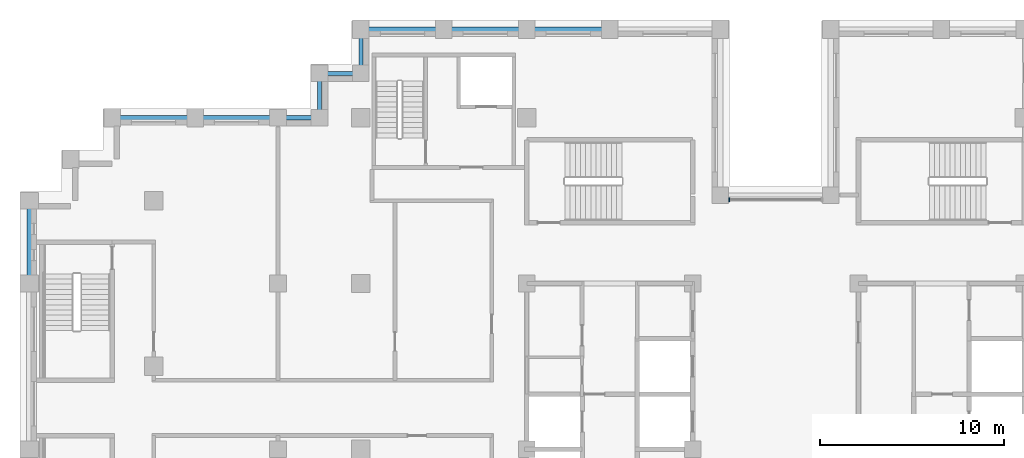
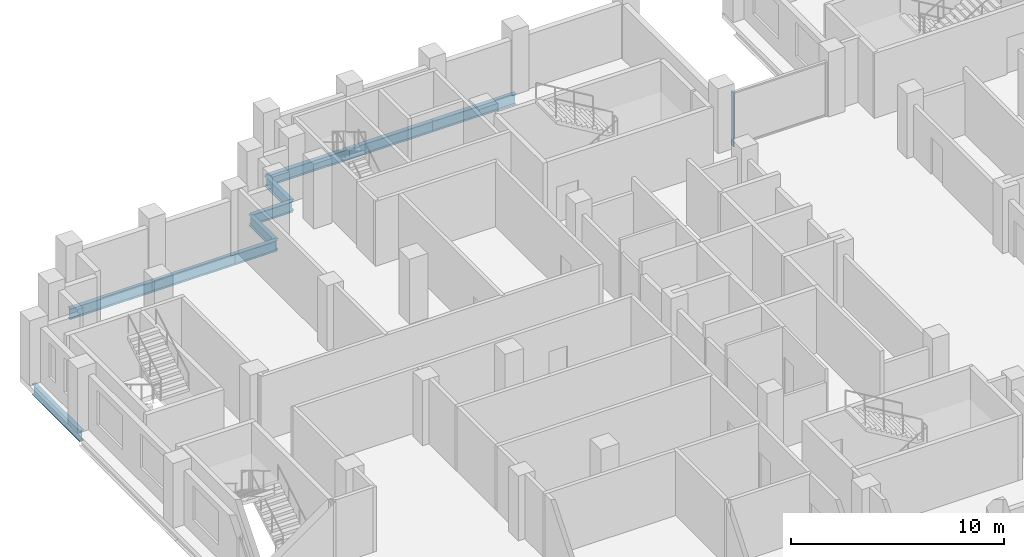
# One storey, part 3 of 15: 10 beams, 1 member, 1 element without a shape of its own.
"""IFC4 building model written with IfcOpenShell, lengths in metres."""

from ifc_helpers import new_model, si_unit, direction, frame, origin, origin_2d, place, context, subcontext, project, spatial, rectangle, i_section, extrude, material, layer, layer_set, material_profile, profile_set, type_object, element, aggregate, save


model = new_model("IFC4")

# Units and contexts
model_context = context("Model", 3, precision=1e-05, world=origin(), true_north=direction((0.0, 1.0)))
body_context = subcontext(model_context, "Body", "Model", "MODEL_VIEW")
ifc_project = project(units=[si_unit("LENGTHUNIT", "METRE"), si_unit("AREAUNIT", "SQUARE_METRE"), si_unit("VOLUMEUNIT", "CUBIC_METRE"), si_unit("PLANEANGLEUNIT", "RADIAN"), si_unit("MASSUNIT", "GRAM", prefix="KILO")], contexts=[model_context])

# Site, building, storey
site_placement = place(None, origin())
site = spatial("IfcSite", under=ifc_project, at=site_placement, CompositionType="ELEMENT")
building_placement = place(site_placement, origin())
building = spatial("IfcBuilding", under=site, at=building_placement, Name="Corbelhall Arena Tower", CompositionType="ELEMENT")
storey_placement = place(building_placement, frame((0.0, 0.0, 216.0)))
storey = spatial("IfcBuildingStorey", under=building, at=storey_placement, Name="L45", CompositionType="ELEMENT", Elevation=216.0)

# Curtain wall, member
ifc_material_1 = material(Name="Aluminium black anodised", Category="aluminium")
ifc_layer = layer(ifc_material_1, 0.199951171875)
ifc_layer_set = layer_set([ifc_layer], Name="EV-CW1 Slot back wall")
curtain_wall_type = type_object("IfcCurtainWallType", Name="EV-CW1 Slot back wall", PredefinedType="NOTDEFINED", material=ifc_layer_set)
curtain_wall_placement = place(storey_placement, origin())
curtain_wall = element("IfcCurtainWall", 1, at=curtain_wall_placement, inside=storey, type_object=curtain_wall_type, Name="Curtain wall CW1", PredefinedType="NOTDEFINED")
ifc_material_profile_1 = material_profile(ifc_material_1, rectangle(XDim=0.199951171875, YDim=0.074951171875, at=origin_2d()))
ifc_profile_set_1 = profile_set([ifc_material_profile_1], Name="Aluminium black anodised")
member_type = type_object("IfcMemberType", Name="EV-CW1-MULLION", PredefinedType="MULLION", material=ifc_profile_set_1)
member_placement = place(storey_placement, frame((-2.512451171875, 13.550048828125, 0.0), z_axis=(0.0, 0.0, 1.0), x_axis=(0.0, -1.0, 0.0)))
member = element("IfcMember", 2, at=member_placement, type_object=member_type, Name="CW1 mullion 2", PredefinedType="MULLION", context=body_context, shape_type="SweptSolid", body=[
    extrude(rectangle(XDim=0.199951171875, YDim=0.074951171875, at=origin_2d()), origin(), (0.0, 0.0, 1.0), 3.1201171875),
])
aggregate(curtain_wall, [member])

# Beams
ifc_material_2 = material(Name="Steel ASTM A992 Gr50", Category="steel")
ifc_material_profile_2 = material_profile(ifc_material_2, i_section(OverallWidth=0.228271484375, OverallDepth=0.607177734375, WebThickness=0.01123046875, FlangeThickness=0.017333984375, at=origin_2d()))
ifc_profile_set_2 = profile_set([ifc_material_profile_2], Name="Steel ASTM A992 Gr50")
beam_type = type_object("IfcBeamType", Name="ST-SPANDREL-W24x76", PredefinedType="SPANDREL", material=ifc_profile_set_2)
for number, where, z_axis, x_axis, name in (
    (3, (-40.5, 9.0, -0.58349609375), (0.0, 1.0, 0.0), (-1.0, 0.0, 0.0), "Beam SP 2"),
    (4, (-31.5, 18.0, -0.58349609375), (1.0, 0.0, 0.0), (0.0, 1.0, 0.0), "Beam SP 5"),
    (5, (-36.0, 18.0, -0.58349609375), (1.0, 0.0, 0.0), (0.0, 1.0, 0.0), "Beam SP 6"),
    (6, (-13.5, 22.800048828125, -0.58349609375), (1.0, 0.0, 0.0), (0.0, 1.0, 0.0), "Beam SP 20"),
    (7, (-18.0, 22.800048828125, -0.58349609375), (1.0, 0.0, 0.0), (0.0, 1.0, 0.0), "Beam SP 21"),
    (8, (-22.5, 22.800048828125, -0.58349609375), (1.0, 0.0, 0.0), (0.0, 1.0, 0.0), "Beam SP 22"),
):
    element("IfcBeam", number, at=place(storey_placement, frame(where, z_axis=z_axis, x_axis=x_axis)), inside=storey, type_object=beam_type, Name=name, PredefinedType="SPANDREL", context=body_context, shape_type="SweptSolid", body=[
        extrude(i_section(OverallWidth=0.228271484375, OverallDepth=0.607177734375, WebThickness=0.01123046875, FlangeThickness=0.017333984375, at=origin_2d()), origin(), (0.0, 0.0, 1.0), 4.5),
    ])
beam_1_placement = place(storey_placement, frame((-27.0, 18.0, -0.58349609375), z_axis=(1.0, 0.0, 0.0), x_axis=(0.0, 1.0, 0.0)))
element("IfcBeam", 9, at=beam_1_placement, inside=storey, type_object=beam_type, Name="Beam SP 33", PredefinedType="SPANDREL", context=body_context, shape_type="SweptSolid", body=[
    extrude(i_section(OverallWidth=0.228271484375, OverallDepth=0.607177734375, WebThickness=0.01123046875, FlangeThickness=0.017333984375, at=origin_2d()), origin(), (0.0, 0.0, 1.0), 2.25),
])
beam_2_placement = place(storey_placement, frame((-22.5, 20.39990234375, -0.58349609375), z_axis=(0.0, 1.0, 0.0), x_axis=(-1.0, 0.0, 0.0)))
element("IfcBeam", 10, at=beam_2_placement, inside=storey, type_object=beam_type, Name="Beam SP 42", PredefinedType="SPANDREL", context=body_context, shape_type="SweptSolid", body=[
    extrude(i_section(OverallWidth=0.228271484375, OverallDepth=0.607177734375, WebThickness=0.01123046875, FlangeThickness=0.017333984375, at=origin_2d()), origin(), (0.0, 0.0, 1.0), 2.400146484375),
])
beam_3_placement = place(storey_placement, frame((-24.75, 20.39990234375, -0.58349609375), z_axis=(1.0, 0.0, 0.0), x_axis=(0.0, 1.0, 0.0)))
element("IfcBeam", 11, at=beam_3_placement, inside=storey, type_object=beam_type, Name="Beam SP 43", PredefinedType="SPANDREL", context=body_context, shape_type="SweptSolid", body=[
    extrude(i_section(OverallWidth=0.228271484375, OverallDepth=0.607177734375, WebThickness=0.01123046875, FlangeThickness=0.017333984375, at=origin_2d()), origin(), (0.0, 0.0, 1.0), 2.25),
])
beam_4_placement = place(storey_placement, frame((-24.75, 18.0, -0.58349609375), z_axis=(0.0, 1.0, 0.0), x_axis=(-1.0, 0.0, 0.0)))
element("IfcBeam", 12, at=beam_4_placement, inside=storey, type_object=beam_type, Name="Beam SP 44", PredefinedType="SPANDREL", context=body_context, shape_type="SweptSolid", body=[
    extrude(i_section(OverallWidth=0.228271484375, OverallDepth=0.607177734375, WebThickness=0.01123046875, FlangeThickness=0.017333984375, at=origin_2d()), origin(), (0.0, 0.0, 1.0), 2.39990234375),
])

save(model, "model.ifc")
